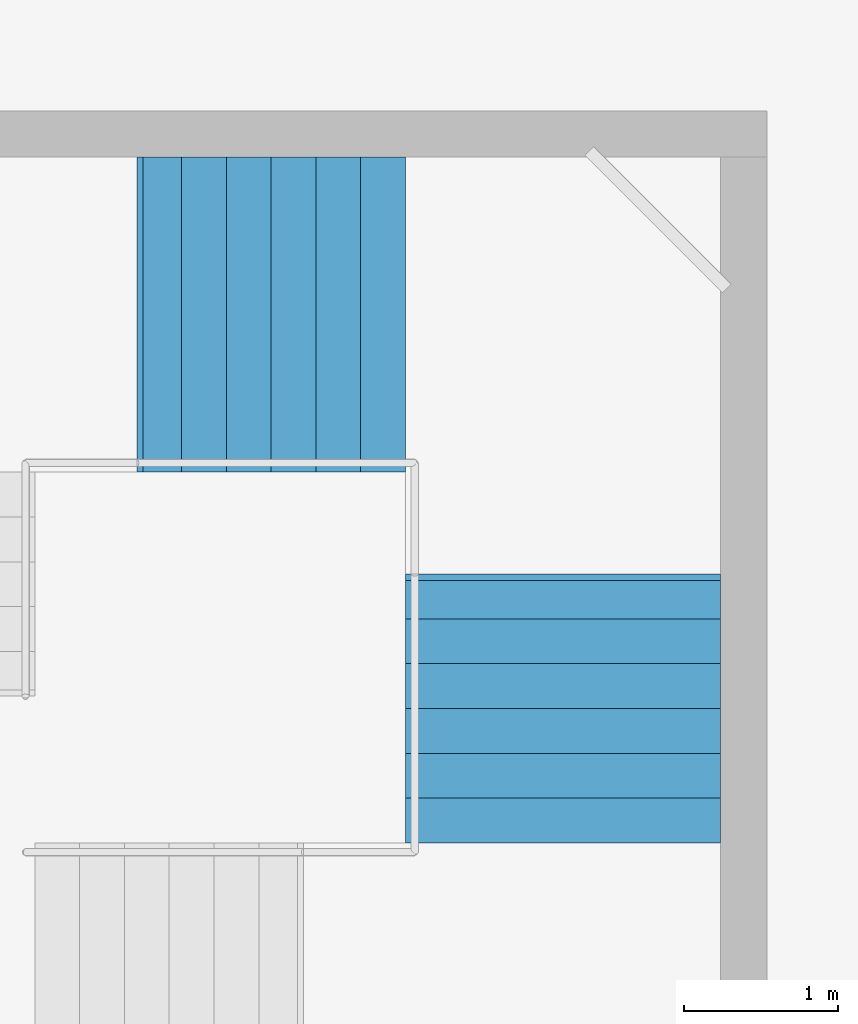
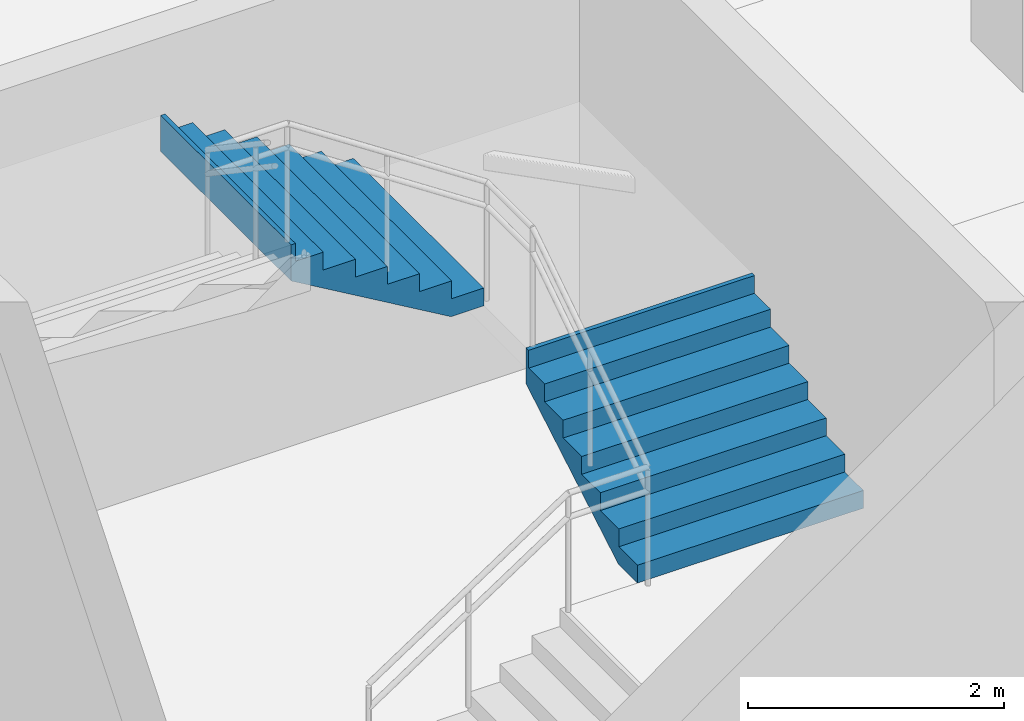
# One storey, part 24 of 30: 2 stair flights, 1 element without a shape of its own.
"""IFC4 building model written with IfcOpenShell, lengths in metres."""

from ifc_helpers import new_model, si_unit, direction, frame, origin, place, context, subcontext, project, spatial, triangles, material, type_object, element, aggregate, save


model = new_model("IFC4")

# Units and contexts
model_context = context("Model", 3, precision=1e-05, world=origin(), true_north=direction((0.0, 1.0)))
body_context = subcontext(model_context, "Body", "Model", "MODEL_VIEW")
ifc_project = project(units=[si_unit("LENGTHUNIT", "METRE"), si_unit("AREAUNIT", "SQUARE_METRE"), si_unit("VOLUMEUNIT", "CUBIC_METRE"), si_unit("PLANEANGLEUNIT", "RADIAN"), si_unit("MASSUNIT", "GRAM", prefix="KILO")], contexts=[model_context])

# Site, building, storey
site_placement = place(None, origin())
site = spatial("IfcSite", under=ifc_project, at=site_placement, CompositionType="ELEMENT")
building_placement = place(site_placement, origin())
building = spatial("IfcBuilding", under=site, at=building_placement, Name="Sillaruma Civic Art Gallery", CompositionType="ELEMENT")
storey_placement = place(building_placement, frame((0.0, 0.0, -9.179931640625)))
storey = spatial("IfcBuildingStorey", under=building, at=storey_placement, Name="B02", CompositionType="ELEMENT", Elevation=-9.179931640625)

# Stair, stair flights
ifc_material = material(Name="Concrete H35 (35 MPa)", Category="concrete")
stair_type = type_object("IfcStairType", Name="STR-4F-27", PredefinedType="USERDEFINED", material=ifc_material)
stair_placement = place(storey_placement, origin())
stair = element("IfcStair", 1, at=stair_placement, inside=storey, type_object=stair_type, Name="Protected Exit Stair ST-01 (West Wing) (B02)", ObjectType="THREE_RETURN_STAIR", PredefinedType="USERDEFINED")
stair_flight_type = type_object("IfcStairFlightType", Name="SFL-STR-7", PredefinedType="STRAIGHT", material=ifc_material)
stair_flight_1_placement = place(storey_placement, frame((31.02001953125, 102.739990234375, 1.18994140625), z_axis=(0.0, 0.0, 1.0), x_axis=(0.0, 1.0, 0.0)))
stair_flight_1 = element("IfcStairFlight", 2, at=stair_flight_1_placement, type_object=stair_flight_type, Name="ST-01 flight 2", NumberOfRisers=7, NumberOfTreads=6, PredefinedType="STRAIGHT", RiserHeight=0.17, TreadLength=0.29, context=body_context, shape_type="Tessellation", body=[
    triangles([(0.0, -1.02001953125, 0.0), (0.29, -1.02001953125, 0.0), (0.296404, -1.02001953125, 0.0), (0.58, -1.02001953125, 0.166246), (0.87, -1.02001953125, 0.336246), (1.16, -1.02001953125, 0.506246), (1.45, -1.02001953125, 0.676246), (1.69999, -1.02001953125, 0.822792), (1.73999, -1.02001953125, 0.84624), (1.73999, -1.02001953125, 1.19), (1.69999, -1.02001953125, 1.19), (1.69999, -1.02001953125, 1.02), (1.45, -1.02001953125, 1.02), (1.45, -1.02001953125, 0.85), (1.16, -1.02001953125, 0.85), (1.16, -1.02001953125, 0.68), (0.87, -1.02001953125, 0.68), (0.87, -1.02001953125, 0.51), (0.58, -1.02001953125, 0.51), (0.58, -1.02001953125, 0.34), (0.296404, -1.02001953125, 0.34), (0.29, -1.02001953125, 0.34), (0.29, -1.02001953125, 0.17), (0.0, -1.02001953125, 0.17), (0.0, -0.05, 0.0), (0.29, -0.05, 0.0), (0.296404, -0.05, 0.0), (0.58, -0.05, 0.166246), (0.87, -0.05, 0.336246), (1.16, -0.05, 0.506246), (1.45, -0.05, 0.676246), (1.69999, -0.05, 0.822792), (1.73999, -0.05, 0.84624), (1.73999, -0.05, 1.19), (1.69999, -0.05, 1.19), (1.69999, -0.05, 1.02), (1.45, -0.05, 1.02), (1.45, -0.05, 0.85), (1.16, -0.05, 0.85), (1.16, -0.05, 0.68), (0.87, -0.05, 0.68), (0.87, -0.05, 0.51), (0.58, -0.05, 0.51), (0.58, -0.05, 0.34), (0.296404, -0.05, 0.34), (0.29, -0.05, 0.34), (0.29, -0.05, 0.17), (0.0, -0.05, 0.17), (0.0, -0.0375, 0.0), (0.29, -0.0375, 0.0), (0.296404, -0.0375, 0.0), (0.58, -0.0375, 0.166246), (0.87, -0.0375, 0.336246), (1.16, -0.0375, 0.506246), (1.45, -0.0375, 0.676246), (1.69999, -0.0375, 0.822792), (1.73999, -0.0375, 0.84624), (1.73999, -0.0375, 1.19), (1.69999, -0.0375, 1.19), (1.69999, -0.0375, 1.02), (1.45, -0.0375, 1.02), (1.45, -0.0375, 0.85), (1.16, -0.0375, 0.85), (1.16, -0.0375, 0.68), (0.87, -0.0375, 0.68), (0.87, -0.0375, 0.51), (0.58, -0.0375, 0.51), (0.58, -0.0375, 0.34), (0.296404, -0.0375, 0.34), (0.29, -0.0375, 0.34), (0.29, -0.0375, 0.17), (0.0, -0.0375, 0.17), (0.0, -0.025, 0.0), (0.29, -0.025, 0.0), (0.296404, -0.025, 0.0), (0.58, -0.025, 0.166246), (0.87, -0.025, 0.336246), (1.16, -0.025, 0.506246), (1.45, -0.025, 0.676246), (1.69999, -0.025, 0.822792), (1.73999, -0.025, 0.84624), (1.73999, -0.025, 1.19), (1.69999, -0.025, 1.19), (1.69999, -0.025, 1.02), (1.45, -0.025, 1.02), (1.45, -0.025, 0.85), (1.16, -0.025, 0.85), (1.16, -0.025, 0.68), (0.87, -0.025, 0.68), (0.87, -0.025, 0.51), (0.58, -0.025, 0.51), (0.58, -0.025, 0.34), (0.296404, -0.025, 0.34), (0.29, -0.025, 0.34), (0.29, -0.025, 0.17), (0.0, -0.025, 0.17), (0.0, -0.0125, 0.0), (0.29, -0.0125, 0.0), (0.296404, -0.0125, 0.0), (0.58, -0.0125, 0.166246), (0.87, -0.0125, 0.336246), (1.16, -0.0125, 0.506246), (1.45, -0.0125, 0.676246), (1.69999, -0.0125, 0.822792), (1.73999, -0.0125, 0.84624), (1.73999, -0.0125, 1.19), (1.69999, -0.0125, 1.19), (1.69999, -0.0125, 1.02), (1.45, -0.0125, 1.02), (1.45, -0.0125, 0.85), (1.16, -0.0125, 0.85), (1.16, -0.0125, 0.68), (0.87, -0.0125, 0.68), (0.87, -0.0125, 0.51), (0.58, -0.0125, 0.51), (0.58, -0.0125, 0.34), (0.296404, -0.0125, 0.34), (0.29, -0.0125, 0.34), (0.29, -0.0125, 0.17), (0.0, -0.0125, 0.17), (0.0, 0.0, 0.0), (0.29, 0.0, 0.0), (0.296404, 0.0, 0.0), (0.58, 0.0, 0.166246), (0.87, 0.0, 0.336246), (1.16, 0.0, 0.506246), (1.45, 0.0, 0.676246), (1.69999, 0.0, 0.822792), (1.73999, 0.0, 0.84624), (1.73999, 0.0, 1.19), (1.69999, 0.0, 1.19), (1.69999, 0.0, 1.02), (1.45, 0.0, 1.02), (1.45, 0.0, 0.85), (1.16, 0.0, 0.85), (1.16, 0.0, 0.68), (0.87, 0.0, 0.68), (0.87, 0.0, 0.51), (0.58, 0.0, 0.51), (0.58, 0.0, 0.34), (0.296404, 0.0, 0.34), (0.29, 0.0, 0.34), (0.29, 0.0, 0.17), (0.0, 0.0, 0.17), (0.0, 0.0125, 0.0), (0.29, 0.0125, 0.0), (0.296404, 0.0125, 0.0), (0.58, 0.0125, 0.166246), (0.87, 0.0125, 0.336246), (1.16, 0.0125, 0.506246), (1.45, 0.0125, 0.676246), (1.69999, 0.0125, 0.822792), (1.73999, 0.0125, 0.84624), (1.73999, 0.0125, 1.19), (1.69999, 0.0125, 1.19), (1.69999, 0.0125, 1.02), (1.45, 0.0125, 1.02), (1.45, 0.0125, 0.85), (1.16, 0.0125, 0.85), (1.16, 0.0125, 0.68), (0.87, 0.0125, 0.68), (0.87, 0.0125, 0.51), (0.58, 0.0125, 0.51), (0.58, 0.0125, 0.34), (0.296404, 0.0125, 0.34), (0.29, 0.0125, 0.34), (0.29, 0.0125, 0.17), (0.0, 0.0125, 0.17), (0.0, 0.025, 0.0), (0.29, 0.025, 0.0), (0.296404, 0.025, 0.0), (0.58, 0.025, 0.166246), (0.87, 0.025, 0.336246), (1.16, 0.025, 0.506246), (1.45, 0.025, 0.676246), (1.69999, 0.025, 0.822792), (1.73999, 0.025, 0.84624), (1.73999, 0.025, 1.19), (1.69999, 0.025, 1.19), (1.69999, 0.025, 1.02), (1.45, 0.025, 1.02), (1.45, 0.025, 0.85), (1.16, 0.025, 0.85), (1.16, 0.025, 0.68), (0.87, 0.025, 0.68), (0.87, 0.025, 0.51), (0.58, 0.025, 0.51), (0.58, 0.025, 0.34), (0.296404, 0.025, 0.34), (0.29, 0.025, 0.34), (0.29, 0.025, 0.17), (0.0, 0.025, 0.17), (0.0, 0.0375, 0.0), (0.29, 0.0375, 0.0), (0.296404, 0.0375, 0.0), (0.58, 0.0375, 0.166246), (0.87, 0.0375, 0.336246), (1.16, 0.0375, 0.506246), (1.45, 0.0375, 0.676246), (1.69999, 0.0375, 0.822792), (1.73999, 0.0375, 0.84624), (1.73999, 0.0375, 1.19), (1.69999, 0.0375, 1.19), (1.69999, 0.0375, 1.02), (1.45, 0.0375, 1.02), (1.45, 0.0375, 0.85), (1.16, 0.0375, 0.85), (1.16, 0.0375, 0.68), (0.87, 0.0375, 0.68), (0.87, 0.0375, 0.51), (0.58, 0.0375, 0.51), (0.58, 0.0375, 0.34), (0.296404, 0.0375, 0.34), (0.29, 0.0375, 0.34), (0.29, 0.0375, 0.17), (0.0, 0.0375, 0.17), (0.0, 0.05, 0.0), (0.29, 0.05, 0.0), (0.296404, 0.05, 0.0), (0.58, 0.05, 0.166246), (0.87, 0.05, 0.336246), (1.16, 0.05, 0.506246), (1.45, 0.05, 0.676246), (1.69999, 0.05, 0.822792), (1.73999, 0.05, 0.84624), (1.73999, 0.05, 1.19), (1.69999, 0.05, 1.19), (1.69999, 0.05, 1.02), (1.45, 0.05, 1.02), (1.45, 0.05, 0.85), (1.16, 0.05, 0.85), (1.16, 0.05, 0.68), (0.87, 0.05, 0.68), (0.87, 0.05, 0.51), (0.58, 0.05, 0.51), (0.58, 0.05, 0.34), (0.296404, 0.05, 0.34), (0.29, 0.05, 0.34), (0.29, 0.05, 0.17), (0.0, 0.05, 0.17), (0.0, 1.02001953125, 0.0), (0.29, 1.02001953125, 0.0), (0.296404, 1.02001953125, 0.0), (0.58, 1.02001953125, 0.166246), (0.87, 1.02001953125, 0.336246), (1.16, 1.02001953125, 0.506246), (1.45, 1.02001953125, 0.676246), (1.69999, 1.02001953125, 0.822792), (1.73999, 1.02001953125, 0.84624), (1.73999, 1.02001953125, 1.19), (1.69999, 1.02001953125, 1.19), (1.69999, 1.02001953125, 1.02), (1.45, 1.02001953125, 1.02), (1.45, 1.02001953125, 0.85), (1.16, 1.02001953125, 0.85), (1.16, 1.02001953125, 0.68), (0.87, 1.02001953125, 0.68), (0.87, 1.02001953125, 0.51), (0.58, 1.02001953125, 0.51), (0.58, 1.02001953125, 0.34), (0.296404, 1.02001953125, 0.34), (0.29, 1.02001953125, 0.34), (0.29, 1.02001953125, 0.17), (0.0, 1.02001953125, 0.17)], [[1, 2, 23], [1, 23, 24], [2, 3, 21], [2, 21, 23], [23, 21, 22], [3, 4, 20], [3, 20, 21], [4, 5, 18], [4, 18, 20], [20, 18, 19], [5, 6, 16], [5, 16, 18], [18, 16, 17], [6, 7, 14], [6, 14, 16], [16, 14, 15], [7, 8, 12], [7, 12, 14], [14, 12, 13], [8, 9, 10], [8, 10, 12], [12, 10, 11], [263, 242, 241], [264, 263, 241], [261, 243, 242], [263, 261, 242], [262, 261, 263], [260, 244, 243], [261, 260, 243], [258, 245, 244], [260, 258, 244], [259, 258, 260], [256, 246, 245], [258, 256, 245], [257, 256, 258], [254, 247, 246], [256, 254, 246], [255, 254, 256], [252, 248, 247], [254, 252, 247], [253, 252, 254], [250, 249, 248], [252, 250, 248], [251, 250, 252], [2, 1, 25], [2, 25, 26], [3, 2, 26], [3, 26, 27], [4, 3, 27], [4, 27, 28], [5, 4, 28], [5, 28, 29], [6, 5, 29], [6, 29, 30], [7, 6, 30], [7, 30, 31], [8, 7, 31], [8, 31, 32], [9, 8, 32], [9, 32, 33], [10, 9, 33], [10, 33, 34], [11, 10, 34], [11, 34, 35], [12, 11, 35], [12, 35, 36], [13, 12, 36], [13, 36, 37], [14, 13, 37], [14, 37, 38], [15, 14, 38], [15, 38, 39], [16, 15, 39], [16, 39, 40], [17, 16, 40], [17, 40, 41], [18, 17, 41], [18, 41, 42], [19, 18, 42], [19, 42, 43], [20, 19, 43], [20, 43, 44], [21, 20, 44], [21, 44, 45], [22, 21, 45], [22, 45, 46], [23, 22, 46], [23, 46, 47], [24, 23, 47], [24, 47, 48], [1, 24, 48], [1, 48, 25], [26, 25, 49], [26, 49, 50], [27, 26, 50], [27, 50, 51], [28, 27, 51], [28, 51, 52], [29, 28, 52], [29, 52, 53], [30, 29, 53], [30, 53, 54], [31, 30, 54], [31, 54, 55], [32, 31, 55], [32, 55, 56], [33, 32, 56], [33, 56, 57], [34, 33, 57], [34, 57, 58], [35, 34, 58], [35, 58, 59], [36, 35, 59], [36, 59, 60], [37, 36, 60], [37, 60, 61], [38, 37, 61], [38, 61, 62], [39, 38, 62], [39, 62, 63], [40, 39, 63], [40, 63, 64], [41, 40, 64], [41, 64, 65], [42, 41, 65], [42, 65, 66], [43, 42, 66], [43, 66, 67], [44, 43, 67], [44, 67, 68], [45, 44, 68], [45, 68, 69], [46, 45, 69], [46, 69, 70], [47, 46, 70], [47, 70, 71], [48, 47, 71], [48, 71, 72], [25, 48, 72], [25, 72, 49], [50, 49, 73], [50, 73, 74], [51, 50, 74], [51, 74, 75], [52, 51, 75], [52, 75, 76], [53, 52, 76], [53, 76, 77], [54, 53, 77], [54, 77, 78], [55, 54, 78], [55, 78, 79], [56, 55, 79], [56, 79, 80], [57, 56, 80], [57, 80, 81], [58, 57, 81], [58, 81, 82], [59, 58, 82], [59, 82, 83], [60, 59, 83], [60, 83, 84], [61, 60, 84], [61, 84, 85], [62, 61, 85], [62, 85, 86], [63, 62, 86], [63, 86, 87], [64, 63, 87], [64, 87, 88], [65, 64, 88], [65, 88, 89], [66, 65, 89], [66, 89, 90], [67, 66, 90], [67, 90, 91], [68, 67, 91], [68, 91, 92], [69, 68, 92], [69, 92, 93], [70, 69, 93], [70, 93, 94], [71, 70, 94], [71, 94, 95], [72, 71, 95], [72, 95, 96], [49, 72, 96], [49, 96, 73], [74, 73, 97], [74, 97, 98], [75, 74, 98], [75, 98, 99], [76, 75, 99], [76, 99, 100], [77, 76, 100], [77, 100, 101], [78, 77, 101], [78, 101, 102], [79, 78, 102], [79, 102, 103], [80, 79, 103], [80, 103, 104], [81, 80, 104], [81, 104, 105], [82, 81, 105], [82, 105, 106], [83, 82, 106], [83, 106, 107], [84, 83, 107], [84, 107, 108], [85, 84, 108], [85, 108, 109], [86, 85, 109], [86, 109, 110], [87, 86, 110], [87, 110, 111], [88, 87, 111], [88, 111, 112], [89, 88, 112], [89, 112, 113], [90, 89, 113], [90, 113, 114], [91, 90, 114], [91, 114, 115], [92, 91, 115], [92, 115, 116], [93, 92, 116], [93, 116, 117], [94, 93, 117], [94, 117, 118], [95, 94, 118], [95, 118, 119], [96, 95, 119], [96, 119, 120], [73, 96, 120], [73, 120, 97], [98, 97, 121], [98, 121, 122], [99, 98, 122], [99, 122, 123], [100, 99, 123], [100, 123, 124], [101, 100, 124], [101, 124, 125], [102, 101, 125], [102, 125, 126], [103, 102, 126], [103, 126, 127], [104, 103, 127], [104, 127, 128], [105, 104, 128], [105, 128, 129], [106, 105, 129], [106, 129, 130], [107, 106, 130], [107, 130, 131], [108, 107, 131], [108, 131, 132], [109, 108, 132], [109, 132, 133], [110, 109, 133], [110, 133, 134], [111, 110, 134], [111, 134, 135], [112, 111, 135], [112, 135, 136], [113, 112, 136], [113, 136, 137], [114, 113, 137], [114, 137, 138], [115, 114, 138], [115, 138, 139], [116, 115, 139], [116, 139, 140], [117, 116, 140], [117, 140, 141], [118, 117, 141], [118, 141, 142], [119, 118, 142], [119, 142, 143], [120, 119, 143], [120, 143, 144], [97, 120, 144], [97, 144, 121], [122, 121, 145], [122, 145, 146], [123, 122, 146], [123, 146, 147], [124, 123, 147], [124, 147, 148], [125, 124, 148], [125, 148, 149], [126, 125, 149], [126, 149, 150], [127, 126, 150], [127, 150, 151], [128, 127, 151], [128, 151, 152], [129, 128, 152], [129, 152, 153], [130, 129, 153], [130, 153, 154], [131, 130, 154], [131, 154, 155], [132, 131, 155], [132, 155, 156], [133, 132, 156], [133, 156, 157], [134, 133, 157], [134, 157, 158], [135, 134, 158], [135, 158, 159], [136, 135, 159], [136, 159, 160], [137, 136, 160], [137, 160, 161], [138, 137, 161], [138, 161, 162], [139, 138, 162], [139, 162, 163], [140, 139, 163], [140, 163, 164], [141, 140, 164], [141, 164, 165], [142, 141, 165], [142, 165, 166], [143, 142, 166], [143, 166, 167], [144, 143, 167], [144, 167, 168], [121, 144, 168], [121, 168, 145], [146, 145, 169], [146, 169, 170], [147, 146, 170], [147, 170, 171], [148, 147, 171], [148, 171, 172], [149, 148, 172], [149, 172, 173], [150, 149, 173], [150, 173, 174], [151, 150, 174], [151, 174, 175], [152, 151, 175], [152, 175, 176], [153, 152, 176], [153, 176, 177], [154, 153, 177], [154, 177, 178], [155, 154, 178], [155, 178, 179], [156, 155, 179], [156, 179, 180], [157, 156, 180], [157, 180, 181], [158, 157, 181], [158, 181, 182], [159, 158, 182], [159, 182, 183], [160, 159, 183], [160, 183, 184], [161, 160, 184], [161, 184, 185], [162, 161, 185], [162, 185, 186], [163, 162, 186], [163, 186, 187], [164, 163, 187], [164, 187, 188], [165, 164, 188], [165, 188, 189], [166, 165, 189], [166, 189, 190], [167, 166, 190], [167, 190, 191], [168, 167, 191], [168, 191, 192], [145, 168, 192], [145, 192, 169], [170, 169, 193], [170, 193, 194], [171, 170, 194], [171, 194, 195], [172, 171, 195], [172, 195, 196], [173, 172, 196], [173, 196, 197], [174, 173, 197], [174, 197, 198], [175, 174, 198], [175, 198, 199], [176, 175, 199], [176, 199, 200], [177, 176, 200], [177, 200, 201], [178, 177, 201], [178, 201, 202], [179, 178, 202], [179, 202, 203], [180, 179, 203], [180, 203, 204], [181, 180, 204], [181, 204, 205], [182, 181, 205], [182, 205, 206], [183, 182, 206], [183, 206, 207], [184, 183, 207], [184, 207, 208], [185, 184, 208], [185, 208, 209], [186, 185, 209], [186, 209, 210], [187, 186, 210], [187, 210, 211], [188, 187, 211], [188, 211, 212], [189, 188, 212], [189, 212, 213], [190, 189, 213], [190, 213, 214], [191, 190, 214], [191, 214, 215], [192, 191, 215], [192, 215, 216], [169, 192, 216], [169, 216, 193], [194, 193, 217], [194, 217, 218], [195, 194, 218], [195, 218, 219], [196, 195, 219], [196, 219, 220], [197, 196, 220], [197, 220, 221], [198, 197, 221], [198, 221, 222], [199, 198, 222], [199, 222, 223], [200, 199, 223], [200, 223, 224], [201, 200, 224], [201, 224, 225], [202, 201, 225], [202, 225, 226], [203, 202, 226], [203, 226, 227], [204, 203, 227], [204, 227, 228], [205, 204, 228], [205, 228, 229], [206, 205, 229], [206, 229, 230], [207, 206, 230], [207, 230, 231], [208, 207, 231], [208, 231, 232], [209, 208, 232], [209, 232, 233], [210, 209, 233], [210, 233, 234], [211, 210, 234], [211, 234, 235], [212, 211, 235], [212, 235, 236], [213, 212, 236], [213, 236, 237], [214, 213, 237], [214, 237, 238], [215, 214, 238], [215, 238, 239], [216, 215, 239], [216, 239, 240], [193, 216, 240], [193, 240, 217], [218, 217, 241], [218, 241, 242], [219, 218, 242], [219, 242, 243], [220, 219, 243], [220, 243, 244], [221, 220, 244], [221, 244, 245], [222, 221, 245], [222, 245, 246], [223, 222, 246], [223, 246, 247], [224, 223, 247], [224, 247, 248], [225, 224, 248], [225, 248, 249], [226, 225, 249], [226, 249, 250], [227, 226, 250], [227, 250, 251], [228, 227, 251], [228, 251, 252], [229, 228, 252], [229, 252, 253], [230, 229, 253], [230, 253, 254], [231, 230, 254], [231, 254, 255], [232, 231, 255], [232, 255, 256], [233, 232, 256], [233, 256, 257], [234, 233, 257], [234, 257, 258], [235, 234, 258], [235, 258, 259], [236, 235, 259], [236, 259, 260], [237, 236, 260], [237, 260, 261], [238, 237, 261], [238, 261, 262], [239, 238, 262], [239, 262, 263], [240, 239, 263], [240, 263, 264], [217, 240, 264], [217, 264, 241]], closed=True),
])
stair_flight_2_placement = place(storey_placement, frame((30.0, 106.159912109375, 2.3798828125), z_axis=(0.0, 0.0, 1.0), x_axis=(-1.0, 0.0, 0.0)))
stair_flight_2 = element("IfcStairFlight", 3, at=stair_flight_2_placement, type_object=stair_flight_type, Name="ST-01 flight 3", NumberOfRisers=7, NumberOfTreads=6, PredefinedType="STRAIGHT", RiserHeight=0.17, TreadLength=0.29, context=body_context, shape_type="Tessellation", body=[
    triangles([(0.0, -1.02001953125, 0.0), (0.29, -1.02001953125, 0.0), (0.296404, -1.02001953125, 0.0), (0.58, -1.02001953125, 0.166246), (0.87, -1.02001953125, 0.336246), (1.16, -1.02001953125, 0.506246), (1.45, -1.02001953125, 0.676246), (1.69999, -1.02001953125, 0.822792), (1.73999, -1.02001953125, 0.84624), (1.73999, -1.02001953125, 1.19), (1.69999, -1.02001953125, 1.19), (1.69999, -1.02001953125, 1.02), (1.45, -1.02001953125, 1.02), (1.45, -1.02001953125, 0.85), (1.16, -1.02001953125, 0.85), (1.16, -1.02001953125, 0.68), (0.87, -1.02001953125, 0.68), (0.87, -1.02001953125, 0.51), (0.58, -1.02001953125, 0.51), (0.58, -1.02001953125, 0.34), (0.296404, -1.02001953125, 0.34), (0.29, -1.02001953125, 0.34), (0.29, -1.02001953125, 0.17), (0.0, -1.02001953125, 0.17), (0.0, -0.05, 0.0), (0.29, -0.05, 0.0), (0.296404, -0.05, 0.0), (0.58, -0.05, 0.166246), (0.87, -0.05, 0.336246), (1.16, -0.05, 0.506246), (1.45, -0.05, 0.676246), (1.69999, -0.05, 0.822792), (1.73999, -0.05, 0.84624), (1.73999, -0.05, 1.19), (1.69999, -0.05, 1.19), (1.69999, -0.05, 1.02), (1.45, -0.05, 1.02), (1.45, -0.05, 0.85), (1.16, -0.05, 0.85), (1.16, -0.05, 0.68), (0.87, -0.05, 0.68), (0.87, -0.05, 0.51), (0.58, -0.05, 0.51), (0.58, -0.05, 0.34), (0.296404, -0.05, 0.34), (0.29, -0.05, 0.34), (0.29, -0.05, 0.17), (0.0, -0.05, 0.17), (0.0, -0.0375, 0.0), (0.29, -0.0375, 0.0), (0.296404, -0.0375, 0.0), (0.58, -0.0375, 0.166246), (0.87, -0.0375, 0.336246), (1.16, -0.0375, 0.506246), (1.45, -0.0375, 0.676246), (1.69999, -0.0375, 0.822792), (1.73999, -0.0375, 0.84624), (1.73999, -0.0375, 1.19), (1.69999, -0.0375, 1.19), (1.69999, -0.0375, 1.02), (1.45, -0.0375, 1.02), (1.45, -0.0375, 0.85), (1.16, -0.0375, 0.85), (1.16, -0.0375, 0.68), (0.87, -0.0375, 0.68), (0.87, -0.0375, 0.51), (0.58, -0.0375, 0.51), (0.58, -0.0375, 0.34), (0.296404, -0.0375, 0.34), (0.29, -0.0375, 0.34), (0.29, -0.0375, 0.17), (0.0, -0.0375, 0.17), (0.0, -0.025, 0.0), (0.29, -0.025, 0.0), (0.296404, -0.025, 0.0), (0.58, -0.025, 0.166246), (0.87, -0.025, 0.336246), (1.16, -0.025, 0.506246), (1.45, -0.025, 0.676246), (1.69999, -0.025, 0.822792), (1.73999, -0.025, 0.84624), (1.73999, -0.025, 1.19), (1.69999, -0.025, 1.19), (1.69999, -0.025, 1.02), (1.45, -0.025, 1.02), (1.45, -0.025, 0.85), (1.16, -0.025, 0.85), (1.16, -0.025, 0.68), (0.87, -0.025, 0.68), (0.87, -0.025, 0.51), (0.58, -0.025, 0.51), (0.58, -0.025, 0.34), (0.296404, -0.025, 0.34), (0.29, -0.025, 0.34), (0.29, -0.025, 0.17), (0.0, -0.025, 0.17), (0.0, -0.0125, 0.0), (0.29, -0.0125, 0.0), (0.296404, -0.0125, 0.0), (0.58, -0.0125, 0.166246), (0.87, -0.0125, 0.336246), (1.16, -0.0125, 0.506246), (1.45, -0.0125, 0.676246), (1.69999, -0.0125, 0.822792), (1.73999, -0.0125, 0.84624), (1.73999, -0.0125, 1.19), (1.69999, -0.0125, 1.19), (1.69999, -0.0125, 1.02), (1.45, -0.0125, 1.02), (1.45, -0.0125, 0.85), (1.16, -0.0125, 0.85), (1.16, -0.0125, 0.68), (0.87, -0.0125, 0.68), (0.87, -0.0125, 0.51), (0.58, -0.0125, 0.51), (0.58, -0.0125, 0.34), (0.296404, -0.0125, 0.34), (0.29, -0.0125, 0.34), (0.29, -0.0125, 0.17), (0.0, -0.0125, 0.17), (0.0, 0.0, 0.0), (0.29, 0.0, 0.0), (0.296404, 0.0, 0.0), (0.58, 0.0, 0.166246), (0.87, 0.0, 0.336246), (1.16, 0.0, 0.506246), (1.45, 0.0, 0.676246), (1.69999, 0.0, 0.822792), (1.73999, 0.0, 0.84624), (1.73999, 0.0, 1.19), (1.69999, 0.0, 1.19), (1.69999, 0.0, 1.02), (1.45, 0.0, 1.02), (1.45, 0.0, 0.85), (1.16, 0.0, 0.85), (1.16, 0.0, 0.68), (0.87, 0.0, 0.68), (0.87, 0.0, 0.51), (0.58, 0.0, 0.51), (0.58, 0.0, 0.34), (0.296404, 0.0, 0.34), (0.29, 0.0, 0.34), (0.29, 0.0, 0.17), (0.0, 0.0, 0.17), (0.0, 0.0125, 0.0), (0.29, 0.0125, 0.0), (0.296404, 0.0125, 0.0), (0.58, 0.0125, 0.166246), (0.87, 0.0125, 0.336246), (1.16, 0.0125, 0.506246), (1.45, 0.0125, 0.676246), (1.69999, 0.0125, 0.822792), (1.73999, 0.0125, 0.84624), (1.73999, 0.0125, 1.19), (1.69999, 0.0125, 1.19), (1.69999, 0.0125, 1.02), (1.45, 0.0125, 1.02), (1.45, 0.0125, 0.85), (1.16, 0.0125, 0.85), (1.16, 0.0125, 0.68), (0.87, 0.0125, 0.68), (0.87, 0.0125, 0.51), (0.58, 0.0125, 0.51), (0.58, 0.0125, 0.34), (0.296404, 0.0125, 0.34), (0.29, 0.0125, 0.34), (0.29, 0.0125, 0.17), (0.0, 0.0125, 0.17), (0.0, 0.025, 0.0), (0.29, 0.025, 0.0), (0.296404, 0.025, 0.0), (0.58, 0.025, 0.166246), (0.87, 0.025, 0.336246), (1.16, 0.025, 0.506246), (1.45, 0.025, 0.676246), (1.69999, 0.025, 0.822792), (1.73999, 0.025, 0.84624), (1.73999, 0.025, 1.19), (1.69999, 0.025, 1.19), (1.69999, 0.025, 1.02), (1.45, 0.025, 1.02), (1.45, 0.025, 0.85), (1.16, 0.025, 0.85), (1.16, 0.025, 0.68), (0.87, 0.025, 0.68), (0.87, 0.025, 0.51), (0.58, 0.025, 0.51), (0.58, 0.025, 0.34), (0.296404, 0.025, 0.34), (0.29, 0.025, 0.34), (0.29, 0.025, 0.17), (0.0, 0.025, 0.17), (0.0, 0.0375, 0.0), (0.29, 0.0375, 0.0), (0.296404, 0.0375, 0.0), (0.58, 0.0375, 0.166246), (0.87, 0.0375, 0.336246), (1.16, 0.0375, 0.506246), (1.45, 0.0375, 0.676246), (1.69999, 0.0375, 0.822792), (1.73999, 0.0375, 0.84624), (1.73999, 0.0375, 1.19), (1.69999, 0.0375, 1.19), (1.69999, 0.0375, 1.02), (1.45, 0.0375, 1.02), (1.45, 0.0375, 0.85), (1.16, 0.0375, 0.85), (1.16, 0.0375, 0.68), (0.87, 0.0375, 0.68), (0.87, 0.0375, 0.51), (0.58, 0.0375, 0.51), (0.58, 0.0375, 0.34), (0.296404, 0.0375, 0.34), (0.29, 0.0375, 0.34), (0.29, 0.0375, 0.17), (0.0, 0.0375, 0.17), (0.0, 0.05, 0.0), (0.29, 0.05, 0.0), (0.296404, 0.05, 0.0), (0.58, 0.05, 0.166246), (0.87, 0.05, 0.336246), (1.16, 0.05, 0.506246), (1.45, 0.05, 0.676246), (1.69999, 0.05, 0.822792), (1.73999, 0.05, 0.84624), (1.73999, 0.05, 1.19), (1.69999, 0.05, 1.19), (1.69999, 0.05, 1.02), (1.45, 0.05, 1.02), (1.45, 0.05, 0.85), (1.16, 0.05, 0.85), (1.16, 0.05, 0.68), (0.87, 0.05, 0.68), (0.87, 0.05, 0.51), (0.58, 0.05, 0.51), (0.58, 0.05, 0.34), (0.296404, 0.05, 0.34), (0.29, 0.05, 0.34), (0.29, 0.05, 0.17), (0.0, 0.05, 0.17), (0.0, 1.02001953125, 0.0), (0.29, 1.02001953125, 0.0), (0.296404, 1.02001953125, 0.0), (0.58, 1.02001953125, 0.166246), (0.87, 1.02001953125, 0.336246), (1.16, 1.02001953125, 0.506246), (1.45, 1.02001953125, 0.676246), (1.69999, 1.02001953125, 0.822792), (1.73999, 1.02001953125, 0.84624), (1.73999, 1.02001953125, 1.19), (1.69999, 1.02001953125, 1.19), (1.69999, 1.02001953125, 1.02), (1.45, 1.02001953125, 1.02), (1.45, 1.02001953125, 0.85), (1.16, 1.02001953125, 0.85), (1.16, 1.02001953125, 0.68), (0.87, 1.02001953125, 0.68), (0.87, 1.02001953125, 0.51), (0.58, 1.02001953125, 0.51), (0.58, 1.02001953125, 0.34), (0.296404, 1.02001953125, 0.34), (0.29, 1.02001953125, 0.34), (0.29, 1.02001953125, 0.17), (0.0, 1.02001953125, 0.17)], [[1, 2, 23], [1, 23, 24], [2, 3, 21], [2, 21, 23], [23, 21, 22], [3, 4, 20], [3, 20, 21], [4, 5, 18], [4, 18, 20], [20, 18, 19], [5, 6, 16], [5, 16, 18], [18, 16, 17], [6, 7, 14], [6, 14, 16], [16, 14, 15], [7, 8, 12], [7, 12, 14], [14, 12, 13], [8, 9, 10], [8, 10, 12], [12, 10, 11], [263, 242, 241], [264, 263, 241], [261, 243, 242], [263, 261, 242], [262, 261, 263], [260, 244, 243], [261, 260, 243], [258, 245, 244], [260, 258, 244], [259, 258, 260], [256, 246, 245], [258, 256, 245], [257, 256, 258], [254, 247, 246], [256, 254, 246], [255, 254, 256], [252, 248, 247], [254, 252, 247], [253, 252, 254], [250, 249, 248], [252, 250, 248], [251, 250, 252], [2, 1, 25], [2, 25, 26], [3, 2, 26], [3, 26, 27], [4, 3, 27], [4, 27, 28], [5, 4, 28], [5, 28, 29], [6, 5, 29], [6, 29, 30], [7, 6, 30], [7, 30, 31], [8, 7, 31], [8, 31, 32], [9, 8, 32], [9, 32, 33], [10, 9, 33], [10, 33, 34], [11, 10, 34], [11, 34, 35], [12, 11, 35], [12, 35, 36], [13, 12, 36], [13, 36, 37], [14, 13, 37], [14, 37, 38], [15, 14, 38], [15, 38, 39], [16, 15, 39], [16, 39, 40], [17, 16, 40], [17, 40, 41], [18, 17, 41], [18, 41, 42], [19, 18, 42], [19, 42, 43], [20, 19, 43], [20, 43, 44], [21, 20, 44], [21, 44, 45], [22, 21, 45], [22, 45, 46], [23, 22, 46], [23, 46, 47], [24, 23, 47], [24, 47, 48], [1, 24, 48], [1, 48, 25], [26, 25, 49], [26, 49, 50], [27, 26, 50], [27, 50, 51], [28, 27, 51], [28, 51, 52], [29, 28, 52], [29, 52, 53], [30, 29, 53], [30, 53, 54], [31, 30, 54], [31, 54, 55], [32, 31, 55], [32, 55, 56], [33, 32, 56], [33, 56, 57], [34, 33, 57], [34, 57, 58], [35, 34, 58], [35, 58, 59], [36, 35, 59], [36, 59, 60], [37, 36, 60], [37, 60, 61], [38, 37, 61], [38, 61, 62], [39, 38, 62], [39, 62, 63], [40, 39, 63], [40, 63, 64], [41, 40, 64], [41, 64, 65], [42, 41, 65], [42, 65, 66], [43, 42, 66], [43, 66, 67], [44, 43, 67], [44, 67, 68], [45, 44, 68], [45, 68, 69], [46, 45, 69], [46, 69, 70], [47, 46, 70], [47, 70, 71], [48, 47, 71], [48, 71, 72], [25, 48, 72], [25, 72, 49], [50, 49, 73], [50, 73, 74], [51, 50, 74], [51, 74, 75], [52, 51, 75], [52, 75, 76], [53, 52, 76], [53, 76, 77], [54, 53, 77], [54, 77, 78], [55, 54, 78], [55, 78, 79], [56, 55, 79], [56, 79, 80], [57, 56, 80], [57, 80, 81], [58, 57, 81], [58, 81, 82], [59, 58, 82], [59, 82, 83], [60, 59, 83], [60, 83, 84], [61, 60, 84], [61, 84, 85], [62, 61, 85], [62, 85, 86], [63, 62, 86], [63, 86, 87], [64, 63, 87], [64, 87, 88], [65, 64, 88], [65, 88, 89], [66, 65, 89], [66, 89, 90], [67, 66, 90], [67, 90, 91], [68, 67, 91], [68, 91, 92], [69, 68, 92], [69, 92, 93], [70, 69, 93], [70, 93, 94], [71, 70, 94], [71, 94, 95], [72, 71, 95], [72, 95, 96], [49, 72, 96], [49, 96, 73], [74, 73, 97], [74, 97, 98], [75, 74, 98], [75, 98, 99], [76, 75, 99], [76, 99, 100], [77, 76, 100], [77, 100, 101], [78, 77, 101], [78, 101, 102], [79, 78, 102], [79, 102, 103], [80, 79, 103], [80, 103, 104], [81, 80, 104], [81, 104, 105], [82, 81, 105], [82, 105, 106], [83, 82, 106], [83, 106, 107], [84, 83, 107], [84, 107, 108], [85, 84, 108], [85, 108, 109], [86, 85, 109], [86, 109, 110], [87, 86, 110], [87, 110, 111], [88, 87, 111], [88, 111, 112], [89, 88, 112], [89, 112, 113], [90, 89, 113], [90, 113, 114], [91, 90, 114], [91, 114, 115], [92, 91, 115], [92, 115, 116], [93, 92, 116], [93, 116, 117], [94, 93, 117], [94, 117, 118], [95, 94, 118], [95, 118, 119], [96, 95, 119], [96, 119, 120], [73, 96, 120], [73, 120, 97], [98, 97, 121], [98, 121, 122], [99, 98, 122], [99, 122, 123], [100, 99, 123], [100, 123, 124], [101, 100, 124], [101, 124, 125], [102, 101, 125], [102, 125, 126], [103, 102, 126], [103, 126, 127], [104, 103, 127], [104, 127, 128], [105, 104, 128], [105, 128, 129], [106, 105, 129], [106, 129, 130], [107, 106, 130], [107, 130, 131], [108, 107, 131], [108, 131, 132], [109, 108, 132], [109, 132, 133], [110, 109, 133], [110, 133, 134], [111, 110, 134], [111, 134, 135], [112, 111, 135], [112, 135, 136], [113, 112, 136], [113, 136, 137], [114, 113, 137], [114, 137, 138], [115, 114, 138], [115, 138, 139], [116, 115, 139], [116, 139, 140], [117, 116, 140], [117, 140, 141], [118, 117, 141], [118, 141, 142], [119, 118, 142], [119, 142, 143], [120, 119, 143], [120, 143, 144], [97, 120, 144], [97, 144, 121], [122, 121, 145], [122, 145, 146], [123, 122, 146], [123, 146, 147], [124, 123, 147], [124, 147, 148], [125, 124, 148], [125, 148, 149], [126, 125, 149], [126, 149, 150], [127, 126, 150], [127, 150, 151], [128, 127, 151], [128, 151, 152], [129, 128, 152], [129, 152, 153], [130, 129, 153], [130, 153, 154], [131, 130, 154], [131, 154, 155], [132, 131, 155], [132, 155, 156], [133, 132, 156], [133, 156, 157], [134, 133, 157], [134, 157, 158], [135, 134, 158], [135, 158, 159], [136, 135, 159], [136, 159, 160], [137, 136, 160], [137, 160, 161], [138, 137, 161], [138, 161, 162], [139, 138, 162], [139, 162, 163], [140, 139, 163], [140, 163, 164], [141, 140, 164], [141, 164, 165], [142, 141, 165], [142, 165, 166], [143, 142, 166], [143, 166, 167], [144, 143, 167], [144, 167, 168], [121, 144, 168], [121, 168, 145], [146, 145, 169], [146, 169, 170], [147, 146, 170], [147, 170, 171], [148, 147, 171], [148, 171, 172], [149, 148, 172], [149, 172, 173], [150, 149, 173], [150, 173, 174], [151, 150, 174], [151, 174, 175], [152, 151, 175], [152, 175, 176], [153, 152, 176], [153, 176, 177], [154, 153, 177], [154, 177, 178], [155, 154, 178], [155, 178, 179], [156, 155, 179], [156, 179, 180], [157, 156, 180], [157, 180, 181], [158, 157, 181], [158, 181, 182], [159, 158, 182], [159, 182, 183], [160, 159, 183], [160, 183, 184], [161, 160, 184], [161, 184, 185], [162, 161, 185], [162, 185, 186], [163, 162, 186], [163, 186, 187], [164, 163, 187], [164, 187, 188], [165, 164, 188], [165, 188, 189], [166, 165, 189], [166, 189, 190], [167, 166, 190], [167, 190, 191], [168, 167, 191], [168, 191, 192], [145, 168, 192], [145, 192, 169], [170, 169, 193], [170, 193, 194], [171, 170, 194], [171, 194, 195], [172, 171, 195], [172, 195, 196], [173, 172, 196], [173, 196, 197], [174, 173, 197], [174, 197, 198], [175, 174, 198], [175, 198, 199], [176, 175, 199], [176, 199, 200], [177, 176, 200], [177, 200, 201], [178, 177, 201], [178, 201, 202], [179, 178, 202], [179, 202, 203], [180, 179, 203], [180, 203, 204], [181, 180, 204], [181, 204, 205], [182, 181, 205], [182, 205, 206], [183, 182, 206], [183, 206, 207], [184, 183, 207], [184, 207, 208], [185, 184, 208], [185, 208, 209], [186, 185, 209], [186, 209, 210], [187, 186, 210], [187, 210, 211], [188, 187, 211], [188, 211, 212], [189, 188, 212], [189, 212, 213], [190, 189, 213], [190, 213, 214], [191, 190, 214], [191, 214, 215], [192, 191, 215], [192, 215, 216], [169, 192, 216], [169, 216, 193], [194, 193, 217], [194, 217, 218], [195, 194, 218], [195, 218, 219], [196, 195, 219], [196, 219, 220], [197, 196, 220], [197, 220, 221], [198, 197, 221], [198, 221, 222], [199, 198, 222], [199, 222, 223], [200, 199, 223], [200, 223, 224], [201, 200, 224], [201, 224, 225], [202, 201, 225], [202, 225, 226], [203, 202, 226], [203, 226, 227], [204, 203, 227], [204, 227, 228], [205, 204, 228], [205, 228, 229], [206, 205, 229], [206, 229, 230], [207, 206, 230], [207, 230, 231], [208, 207, 231], [208, 231, 232], [209, 208, 232], [209, 232, 233], [210, 209, 233], [210, 233, 234], [211, 210, 234], [211, 234, 235], [212, 211, 235], [212, 235, 236], [213, 212, 236], [213, 236, 237], [214, 213, 237], [214, 237, 238], [215, 214, 238], [215, 238, 239], [216, 215, 239], [216, 239, 240], [193, 216, 240], [193, 240, 217], [218, 217, 241], [218, 241, 242], [219, 218, 242], [219, 242, 243], [220, 219, 243], [220, 243, 244], [221, 220, 244], [221, 244, 245], [222, 221, 245], [222, 245, 246], [223, 222, 246], [223, 246, 247], [224, 223, 247], [224, 247, 248], [225, 224, 248], [225, 248, 249], [226, 225, 249], [226, 249, 250], [227, 226, 250], [227, 250, 251], [228, 227, 251], [228, 251, 252], [229, 228, 252], [229, 252, 253], [230, 229, 253], [230, 253, 254], [231, 230, 254], [231, 254, 255], [232, 231, 255], [232, 255, 256], [233, 232, 256], [233, 256, 257], [234, 233, 257], [234, 257, 258], [235, 234, 258], [235, 258, 259], [236, 235, 259], [236, 259, 260], [237, 236, 260], [237, 260, 261], [238, 237, 261], [238, 261, 262], [239, 238, 262], [239, 262, 263], [240, 239, 263], [240, 263, 264], [217, 240, 264], [217, 264, 241]], closed=True),
])
aggregate(stair, [stair_flight_1, stair_flight_2])

save(model, "model.ifc")
